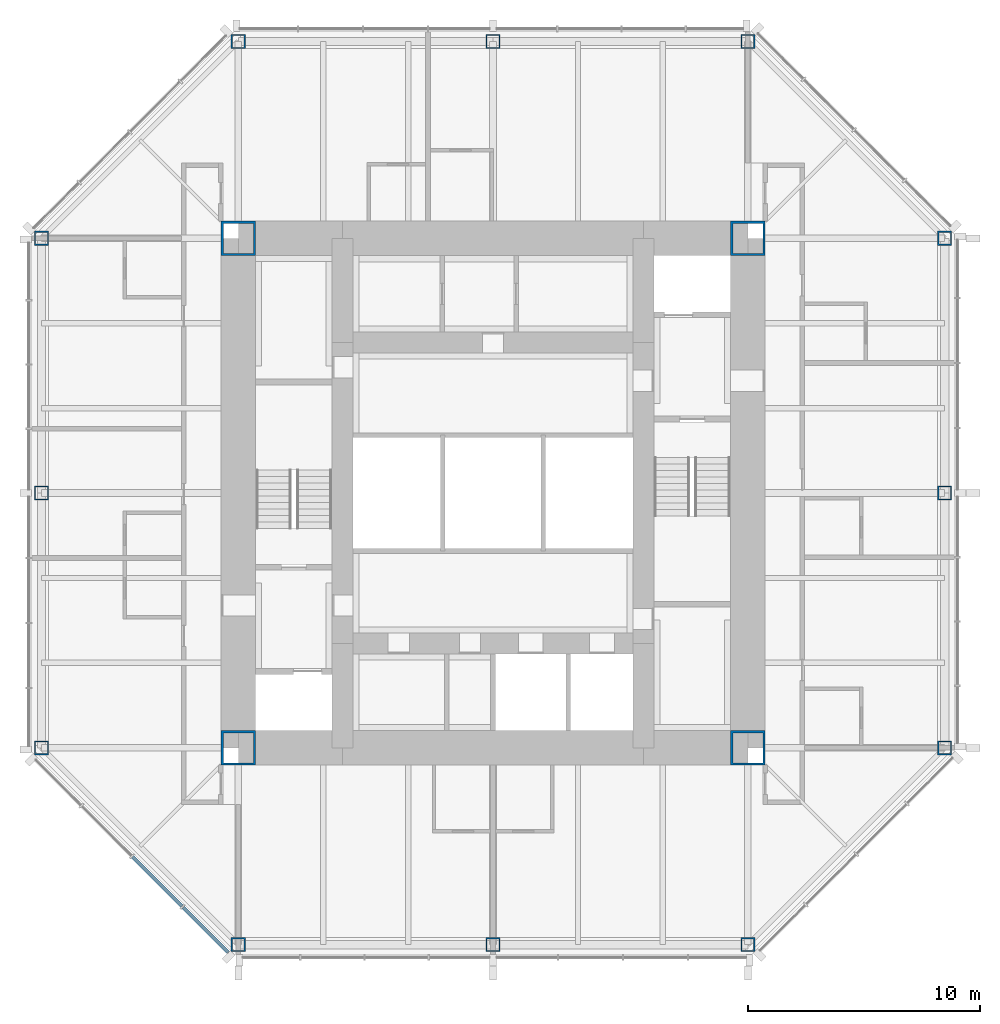
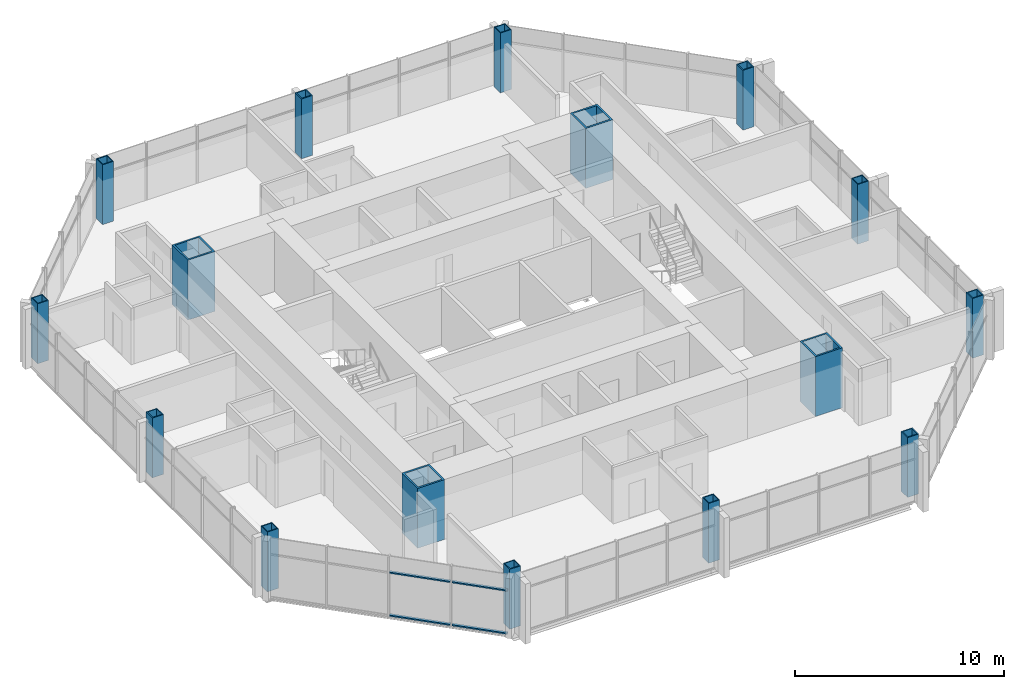
# One storey, part 1 of 11: 16 columns, 4 members, 1 element without a shape of its own.
"""IFC4 building model written with IfcOpenShell, lengths in metres."""

from ifc_helpers import new_model, si_unit, direction, frame, origin, origin_2d, place, context, subcontext, project, spatial, rectangle, hollow_rectangle, extrude, material, material_profile, profile_set, type_object, element, aggregate, save


model = new_model("IFC4")

# Units and contexts
model_context = context("Model", 3, precision=1e-05, world=origin(), true_north=direction((0.0, 1.0)))
body_context = subcontext(model_context, "Body", "Model", "MODEL_VIEW")
ifc_project = project(units=[si_unit("LENGTHUNIT", "METRE"), si_unit("AREAUNIT", "SQUARE_METRE"), si_unit("VOLUMEUNIT", "CUBIC_METRE"), si_unit("PLANEANGLEUNIT", "RADIAN"), si_unit("MASSUNIT", "GRAM", prefix="KILO")], contexts=[model_context])

# Site, building, storey
site_placement = place(None, origin())
site = spatial("IfcSite", under=ifc_project, at=site_placement, CompositionType="ELEMENT")
building_placement = place(site_placement, origin())
building = spatial("IfcBuilding", under=site, at=building_placement, Name="Trevanion Tower", CompositionType="ELEMENT")
storey_placement = place(building_placement, frame((0.0, 0.0, 236.199951171875)))
storey = spatial("IfcBuildingStorey", under=building, at=storey_placement, Name="L57", CompositionType="ELEMENT", Elevation=236.199951171875)

# Columns
ifc_material_1 = material(Name="Steel ASTM A572 Grade 50", Category="steel")
ifc_material_profile_1 = material_profile(ifc_material_1, hollow_rectangle(XDim=0.609619140625, YDim=0.609619140625, WallThickness=0.05078125, at=origin_2d()), Name="BOX24X24X2")
ifc_profile_set_1 = profile_set([ifc_material_profile_1], Name="Steel ASTM A572 Grade 50")
column_type_1 = type_object("IfcColumnType", Name="C5 BOX24X24X2", PredefinedType="COLUMN", material=ifc_profile_set_1)
for number, where, z_axis, x_axis, name in (
    (1, (-19.5, 0.0, 0.0), (0.0, 0.0, 1.0), (0.0, 1.0, 0.0), "C5 5/H L57"),
    (2, (-19.5, -11.0, 0.0), (0.0, 0.0, 1.0), (0.0, 1.0, 0.0), "C5 5/F L57"),
    (3, (-11.0, -19.5, 0.0), (0.0, 0.0, 1.0), (1.0, 0.0, 0.0), "C5 8/C L57"),
    (4, (0.0, -19.5, 0.0), (0.0, 0.0, 1.0), (1.0, 0.0, 0.0), "C5 10/C L57"),
    (5, (11.0, -19.5, 0.0), (0.0, 0.0, 1.0), (1.0, 0.0, 0.0), "C5 12/C L57"),
    (6, (19.5, -11.0, 0.0), (0.0, 0.0, 1.0), (0.0, 1.0, 0.0), "C5 15/F L57"),
    (7, (19.5, 0.0, 0.0), (0.0, 0.0, 1.0), (0.0, 1.0, 0.0), "C5 15/H L57"),
    (8, (19.5, 11.0, 0.0), (0.0, 0.0, 1.0), (0.0, 1.0, 0.0), "C5 15/K L57"),
    (9, (11.0, 19.5, 0.0), (0.0, 0.0, 1.0), (1.0, 0.0, 0.0), "C5 12/N L57"),
    (10, (0.0, 19.5, 0.0), (0.0, 0.0, 1.0), (1.0, 0.0, 0.0), "C5 10/N L57"),
    (11, (-11.0, 19.5, 0.0), (0.0, 0.0, 1.0), (1.0, 0.0, 0.0), "C5 8/N L57"),
    (12, (-19.5, 11.0, 0.0), (0.0, 0.0, 1.0), (0.0, 1.0, 0.0), "C5 5/K L57"),
):
    element("IfcColumn", number, at=place(storey_placement, frame(where, z_axis=z_axis, x_axis=x_axis)), inside=storey, type_object=column_type_1, Name=name, PredefinedType="COLUMN", context=body_context, shape_type="SweptSolid", body=[
        extrude(hollow_rectangle(XDim=0.609619140625, YDim=0.609619140625, WallThickness=0.05078125, at=origin_2d()), origin(), (0.0, 0.0, 1.0), 3.5),
    ])
ifc_material_2 = material(Name="Steel ASTM A572 Grade 50", Category="steel")
ifc_material_profile_2 = material_profile(ifc_material_2, hollow_rectangle(XDim=1.49853515625, YDim=1.49853515625, WallThickness=0.1015625, at=origin_2d()), Name="BOX59X59X4")
ifc_profile_set_2 = profile_set([ifc_material_profile_2], Name="Steel ASTM A572 Grade 50")
column_type_2 = type_object("IfcColumnType", Name="CB1 BOX59X59X4", PredefinedType="COLUMN", material=ifc_profile_set_2)
for number, where, z_axis, x_axis, name in (
    (13, (11.0, 11.0, 0.0), (0.0, 0.0, 1.0), (1.0, 0.0, 0.0), "CB1 NE L57"),
    (14, (-11.0, 11.0, 0.0), (0.0, 0.0, 1.0), (1.0, 0.0, 0.0), "CB1 NW L57"),
    (15, (-11.0, -11.0, 0.0), (0.0, 0.0, 1.0), (1.0, 0.0, 0.0), "CB1 SW L57"),
    (16, (11.0, -11.0, 0.0), (0.0, 0.0, 1.0), (1.0, 0.0, 0.0), "CB1 SE L57"),
):
    element("IfcColumn", number, at=place(storey_placement, frame(where, z_axis=z_axis, x_axis=x_axis)), inside=storey, type_object=column_type_2, Name=name, PredefinedType="COLUMN", context=body_context, shape_type="SweptSolid", body=[
        extrude(hollow_rectangle(XDim=1.49853515625, YDim=1.49853515625, WallThickness=0.1015625, at=origin_2d()), origin(), (0.0, 0.0, 1.0), 3.5),
    ])

# Curtain wall, members
ifc_material_3 = material(Name="Aluminium and glass", Category="aluminium")
curtain_wall_type = type_object("IfcCurtainWallType", Name="CW3 curtain wall", PredefinedType="USERDEFINED", material=ifc_material_3)
curtain_wall_placement = place(storey_placement, origin())
curtain_wall = element("IfcCurtainWall", 17, at=curtain_wall_placement, inside=storey, type_object=curtain_wall_type, Name="CW3 L57 5", ObjectType="UNITISED CURTAIN WALL", PredefinedType="USERDEFINED")
ifc_material_4 = material(Name="Aluminium extrusion, anodised bronze", Category="aluminium")
ifc_material_profile_3 = material_profile(ifc_material_4, rectangle(XDim=0.14990234375, YDim=0.074951171875, at=origin_2d()), Name="CW3 transom")
ifc_profile_set_3 = profile_set([ifc_material_profile_3], Name="Aluminium extrusion, anodised bronze")
member_type = type_object("IfcMemberType", Name="CW3 transom", PredefinedType="USERDEFINED", material=ifc_profile_set_3)
member_1_placement = place(storey_placement, frame((-15.56640625, -15.71142578125, -0.15234375), z_axis=(0.707106781187, -0.707106781187, 0.0), x_axis=(0.707106781187, 0.707106781187, 0.0)))
member_1 = element("IfcMember", 18, at=member_1_placement, type_object=member_type, Name="CW3 transom 3.1", ObjectType="TRANSOM", PredefinedType="USERDEFINED", context=body_context, shape_type="SweptSolid", body=[
    extrude(rectangle(XDim=0.14990234375, YDim=0.074951171875, at=origin_2d()), origin(), (0.0, 0.0, 1.0), 3.011474609375),
])
member_2_placement = place(storey_placement, frame((-15.56640625, -15.71142578125, 2.360107421875), z_axis=(0.707106781187, -0.707106781187, 0.0), x_axis=(0.707106781187, 0.707106781187, 0.0)))
member_2 = element("IfcMember", 19, at=member_2_placement, type_object=member_type, Name="CW3 transom 3.2", ObjectType="TRANSOM", PredefinedType="USERDEFINED", context=body_context, shape_type="SweptSolid", body=[
    extrude(rectangle(XDim=0.14990234375, YDim=0.074951171875, at=origin_2d()), origin(), (0.0, 0.0, 1.0), 3.011474609375),
])
member_3_placement = place(storey_placement, frame((-13.3837890625, -17.89404296875, -0.15234375), z_axis=(0.707106781187, -0.707106781187, 0.0), x_axis=(0.707106781187, 0.707106781187, 0.0)))
member_3 = element("IfcMember", 20, at=member_3_placement, type_object=member_type, Name="CW3 transom 4.1", ObjectType="TRANSOM", PredefinedType="USERDEFINED", context=body_context, shape_type="SweptSolid", body=[
    extrude(rectangle(XDim=0.14990234375, YDim=0.074951171875, at=origin_2d()), origin(), (0.0, 0.0, 1.0), 2.7490234375),
])
member_4_placement = place(storey_placement, frame((-13.3837890625, -17.89404296875, 2.360107421875), z_axis=(0.707106781187, -0.707106781187, 0.0), x_axis=(0.707106781187, 0.707106781187, 0.0)))
member_4 = element("IfcMember", 21, at=member_4_placement, type_object=member_type, Name="CW3 transom 4.2", ObjectType="TRANSOM", PredefinedType="USERDEFINED", context=body_context, shape_type="SweptSolid", body=[
    extrude(rectangle(XDim=0.14990234375, YDim=0.074951171875, at=origin_2d()), origin(), (0.0, 0.0, 1.0), 2.7490234375),
])
aggregate(curtain_wall, [member_1, member_2, member_3, member_4])

save(model, "model.ifc")
